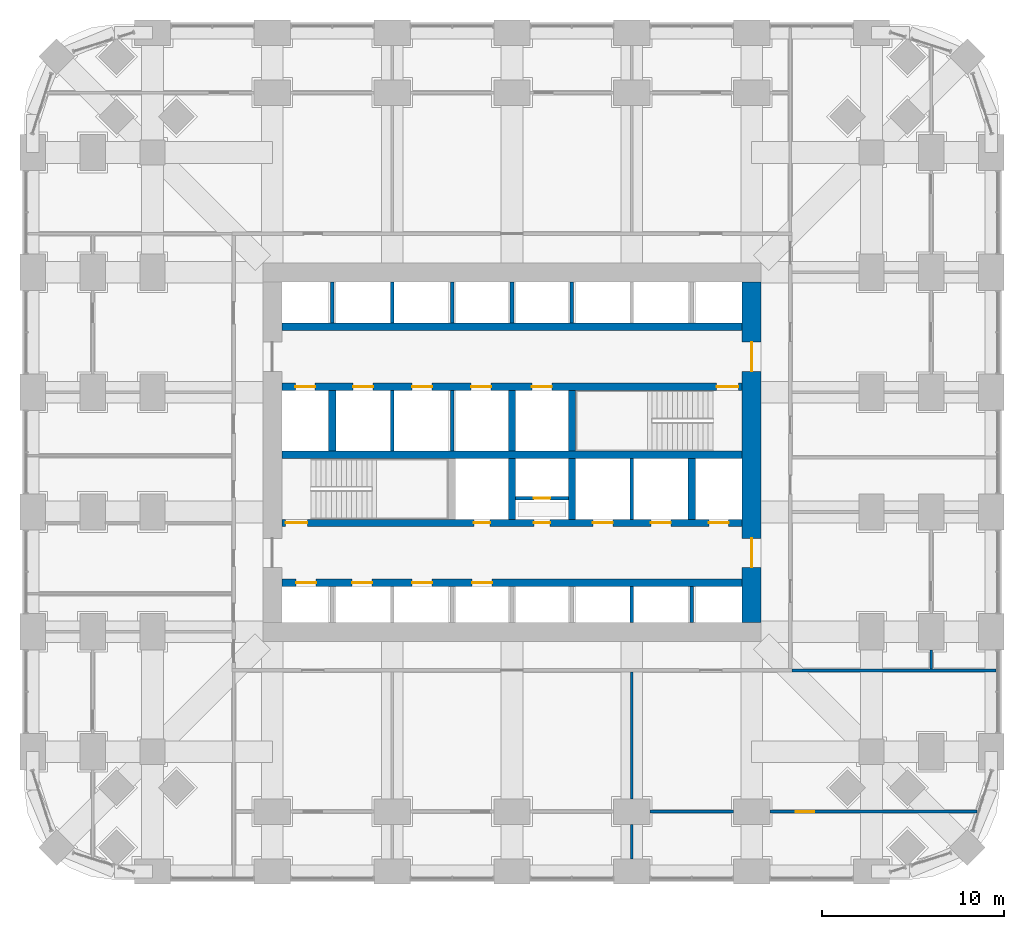
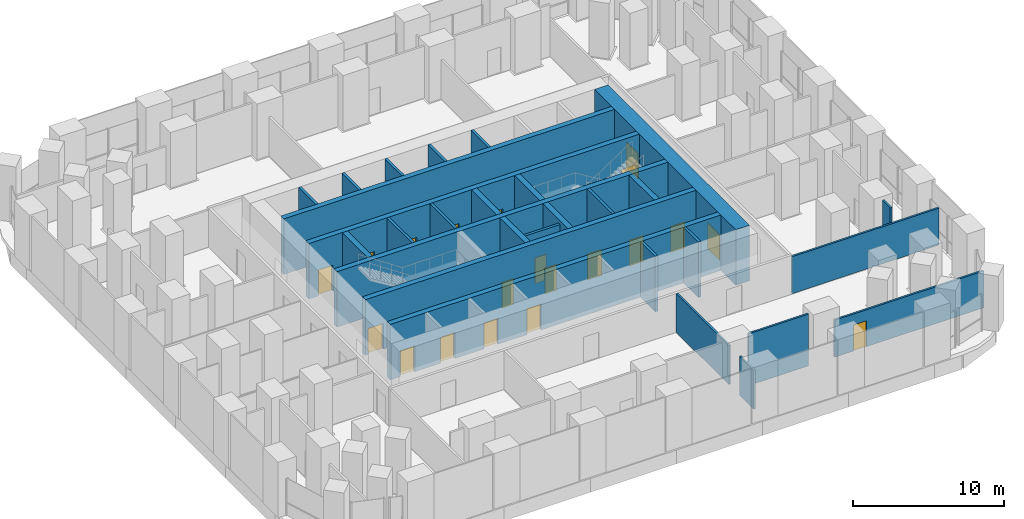
# One storey, part 12 of 17: 29 walls, 20 doors, 20 openings.
"""IFC4 building model written with IfcOpenShell, lengths in metres."""

from ifc_helpers import new_model, si_unit, direction, frame, frame_2d, origin, place, context, subcontext, project, spatial, rectangle, extrude, material, layer, layer_set, type_object, element, fill, save


model = new_model("IFC4")

# Units and contexts
model_context = context("Model", 3, precision=1e-05, world=origin(), true_north=direction((0.0, 1.0)))
body_context = subcontext(model_context, "Body", "Model", "MODEL_VIEW")
ifc_project = project(units=[si_unit("LENGTHUNIT", "METRE"), si_unit("AREAUNIT", "SQUARE_METRE"), si_unit("VOLUMEUNIT", "CUBIC_METRE"), si_unit("PLANEANGLEUNIT", "RADIAN"), si_unit("MASSUNIT", "GRAM", prefix="KILO")], contexts=[model_context])

# Site, building, storey
site_placement = place(None, origin())
site = spatial("IfcSite", under=ifc_project, at=site_placement, CompositionType="ELEMENT")
building_placement = place(site_placement, origin())
building = spatial("IfcBuilding", under=site, at=building_placement, Name="Cobogo Forest Laboratory Tower", CompositionType="ELEMENT")
storey_placement = place(building_placement, frame((0.0, 0.0, 12.60009765625)))
storey = spatial("IfcBuildingStorey", under=building, at=storey_placement, Name="L02", CompositionType="ELEMENT", Elevation=12.60009765625)

# Wall, openings, doors
ifc_material_1 = material(Name="Concrete HA-50 (C50/60)", Category="concrete")
ifc_layer_1 = layer(ifc_material_1, 0.39990234375)
ifc_layer_set_1 = layer_set([ifc_layer_1], Name="CI400 core inner wall 400")
wall_type_1 = type_object("IfcWallType", Name="CI400 core inner wall 400", PredefinedType="SHEAR", material=ifc_layer_set_1)
wall_1_placement = place(storey_placement, frame((13.72509765625, 15.89990234375, 0.0), z_axis=(0.0, 0.0, 1.0), x_axis=(1.0, 0.0, 0.0)))
wall_1 = element("IfcWall", 1, at=wall_1_placement, inside=storey, type_object=wall_type_1, Name="Core wall CI-15.9 L02", PredefinedType="SHEAR", context=body_context, shape_type="SweptSolid", body=[
    extrude(rectangle(XDim=25.349853515625, YDim=0.39990234375, at=frame_2d((12.6748046875, 0.0))), origin(), (0.0, 0.0, 1.0), 4.5),
])
opening_1_placement = place(wall_1_placement, frame((0.78759765625, 0.0, 0.0)))
opening_1 = element("IfcOpeningElement", 2, at=opening_1_placement, cuts=wall_1, Name="Opening L02-LD-LA1", PredefinedType="OPENING", context=body_context, shape_type="SweptSolid", body=[
    extrude(rectangle(XDim=1.10009765625, YDim=2.10009765625, at=frame_2d((0.550048828125, 1.050048828125))), frame((0.0, 0.2099609375, 0.0), z_axis=(0.0, -1.0, 0.0), x_axis=(1.0, 0.0, 0.0)), (0.0, 0.0, 1.0), 0.419921875),
])
opening_2_placement = place(wall_1_placement, frame((3.875, 0.0, 0.0)))
opening_2 = element("IfcOpeningElement", 3, at=opening_2_placement, cuts=wall_1, Name="Opening L02-LD-LA2", PredefinedType="OPENING", context=body_context, shape_type="SweptSolid", body=[
    extrude(rectangle(XDim=1.10009765625, YDim=2.10009765625, at=frame_2d((0.550048828125, 1.050048828125))), frame((0.0, 0.2099609375, 0.0), z_axis=(0.0, -1.0, 0.0), x_axis=(1.0, 0.0, 0.0)), (0.0, 0.0, 1.0), 0.419921875),
])
opening_3_placement = place(wall_1_placement, frame((7.175048828125, 0.0, 0.0)))
opening_3 = element("IfcOpeningElement", 4, at=opening_3_placement, cuts=wall_1, Name="Opening L02-LD-LA3", PredefinedType="OPENING", context=body_context, shape_type="SweptSolid", body=[
    extrude(rectangle(XDim=1.10009765625, YDim=2.10009765625, at=frame_2d((0.550048828125, 1.050048828125))), frame((0.0, 0.2099609375, 0.0), z_axis=(0.0, -1.0, 0.0), x_axis=(1.0, 0.0, 0.0)), (0.0, 0.0, 1.0), 0.419921875),
])
opening_4_placement = place(wall_1_placement, frame((10.47509765625, 0.0, 0.0)))
opening_4 = element("IfcOpeningElement", 5, at=opening_4_placement, cuts=wall_1, Name="Opening L02-LD-LA4", PredefinedType="OPENING", context=body_context, shape_type="SweptSolid", body=[
    extrude(rectangle(XDim=1.10009765625, YDim=2.10009765625, at=frame_2d((0.550048828125, 1.050048828125))), frame((0.0, 0.2099609375, 0.0), z_axis=(0.0, -1.0, 0.0), x_axis=(1.0, 0.0, 0.0)), (0.0, 0.0, 1.0), 0.419921875),
])
ifc_material_2 = material(Name="Stainless steel lift door", Category="steel")
door_type_1 = type_object("IfcDoorType", Name="LD lift landing door 1100", OperationType="DOUBLE_DOOR_SLIDING", PredefinedType="DOOR", material=ifc_material_2)
door_1_placement = place(opening_1_placement, origin())
door_1 = element("IfcDoor", 6, at=door_1_placement, inside=storey, type_object=door_type_1, Name="Lift landing door LA1 L02", OperationType="DOUBLE_DOOR_SLIDING", OverallHeight=2.10009765625, OverallWidth=1.10009765625, PredefinedType="DOOR", context=body_context, shape_type="SweptSolid", body=[
    extrude(rectangle(XDim=1.10009765625, YDim=2.10009765625, at=frame_2d((0.550048828125, 1.050048828125))), frame((0.0, 0.02490234375, 0.0), z_axis=(0.0, -1.0, 0.0), x_axis=(1.0, 0.0, 0.0)), (0.0, 0.0, 1.0), 0.050048828125),
])
fill(opening_1, door_1)
door_2_placement = place(opening_2_placement, origin())
door_2 = element("IfcDoor", 7, at=door_2_placement, inside=storey, type_object=door_type_1, Name="Lift landing door LA2 L02", OperationType="DOUBLE_DOOR_SLIDING", OverallHeight=2.10009765625, OverallWidth=1.10009765625, PredefinedType="DOOR", context=body_context, shape_type="SweptSolid", body=[
    extrude(rectangle(XDim=1.10009765625, YDim=2.10009765625, at=frame_2d((0.550048828125, 1.050048828125))), frame((0.0, 0.02490234375, 0.0), z_axis=(0.0, -1.0, 0.0), x_axis=(1.0, 0.0, 0.0)), (0.0, 0.0, 1.0), 0.050048828125),
])
fill(opening_2, door_2)
door_3_placement = place(opening_3_placement, origin())
door_3 = element("IfcDoor", 8, at=door_3_placement, inside=storey, type_object=door_type_1, Name="Lift landing door LA3 L02", OperationType="DOUBLE_DOOR_SLIDING", OverallHeight=2.10009765625, OverallWidth=1.10009765625, PredefinedType="DOOR", context=body_context, shape_type="SweptSolid", body=[
    extrude(rectangle(XDim=1.10009765625, YDim=2.10009765625, at=frame_2d((0.550048828125, 1.050048828125))), frame((0.0, 0.02490234375, 0.0), z_axis=(0.0, -1.0, 0.0), x_axis=(1.0, 0.0, 0.0)), (0.0, 0.0, 1.0), 0.050048828125),
])
fill(opening_3, door_3)
door_4_placement = place(opening_4_placement, origin())
door_4 = element("IfcDoor", 9, at=door_4_placement, inside=storey, type_object=door_type_1, Name="Lift landing door LA4 L02", OperationType="DOUBLE_DOOR_SLIDING", OverallHeight=2.10009765625, OverallWidth=1.10009765625, PredefinedType="DOOR", context=body_context, shape_type="SweptSolid", body=[
    extrude(rectangle(XDim=1.10009765625, YDim=2.10009765625, at=frame_2d((0.550048828125, 1.050048828125))), frame((0.0, 0.02490234375, 0.0), z_axis=(0.0, -1.0, 0.0), x_axis=(1.0, 0.0, 0.0)), (0.0, 0.0, 1.0), 0.050048828125),
])
fill(opening_4, door_4)

wall_2_placement = place(storey_placement, frame((13.72509765625, 19.199951171875, 0.0), z_axis=(0.0, 0.0, 1.0), x_axis=(1.0, 0.0, 0.0)))
wall_2 = element("IfcWall", 10, at=wall_2_placement, inside=storey, type_object=wall_type_1, Name="Core wall CI-19.2 L02", PredefinedType="SHEAR", context=body_context, shape_type="SweptSolid", body=[
    extrude(rectangle(XDim=25.349853515625, YDim=0.39990234375, at=frame_2d((12.6748046875, 0.0))), origin(), (0.0, 0.0, 1.0), 4.5),
])
opening_5_placement = place(wall_2_placement, frame((10.574951171875, 0.0, 0.0)))
opening_5 = element("IfcOpeningElement", 11, at=opening_5_placement, cuts=wall_2, Name="Opening L02-D16", PredefinedType="OPENING", context=body_context, shape_type="SweptSolid", body=[
    extrude(rectangle(XDim=0.89990234375, YDim=2.10009765625, at=frame_2d((0.449951171875, 1.050048828125))), frame((0.0, 0.2099609375, 0.0), z_axis=(0.0, -1.0, 0.0), x_axis=(1.0, 0.0, 0.0)), (0.0, 0.0, 1.0), 0.419921875),
])
opening_6_placement = place(wall_2_placement, frame((13.875, 0.0, 0.0)))
opening_6 = element("IfcOpeningElement", 12, at=opening_6_placement, cuts=wall_2, Name="Opening L02-D17", PredefinedType="OPENING", context=body_context, shape_type="SweptSolid", body=[
    extrude(rectangle(XDim=0.89990234375, YDim=2.10009765625, at=frame_2d((0.449951171875, 1.050048828125))), frame((0.0, 0.2099609375, 0.0), z_axis=(0.0, -1.0, 0.0), x_axis=(1.0, 0.0, 0.0)), (0.0, 0.0, 1.0), 0.419921875),
])
opening_7_placement = place(wall_2_placement, frame((0.199951171875, 0.0, 0.0)))
opening_7 = element("IfcOpeningElement", 13, at=opening_7_placement, cuts=wall_2, Name="Opening L02-D15", PredefinedType="OPENING", context=body_context, shape_type="SweptSolid", body=[
    extrude(rectangle(XDim=1.199951171875, YDim=2.10009765625, at=frame_2d((0.60009765625, 1.050048828125))), frame((0.0, 0.2099609375, 0.0), z_axis=(0.0, -1.0, 0.0), x_axis=(1.0, 0.0, 0.0)), (0.0, 0.0, 1.0), 0.419921875),
])
opening_8_placement = place(wall_2_placement, frame((23.512451171875, 0.0, 0.0)))
opening_8 = element("IfcOpeningElement", 14, at=opening_8_placement, cuts=wall_2, Name="Opening L02-LD-FL2", PredefinedType="OPENING", context=body_context, shape_type="SweptSolid", body=[
    extrude(rectangle(XDim=1.10009765625, YDim=2.10009765625, at=frame_2d((0.550048828125, 1.050048828125))), frame((0.0, 0.2099609375, 0.0), z_axis=(0.0, -1.0, 0.0), x_axis=(1.0, 0.0, 0.0)), (0.0, 0.0, 1.0), 0.419921875),
])
opening_9_placement = place(wall_2_placement, frame((17.125, 0.0, 0.0)))
opening_9 = element("IfcOpeningElement", 15, at=opening_9_placement, cuts=wall_2, Name="Opening L02-LD-LS1", PredefinedType="OPENING", context=body_context, shape_type="SweptSolid", body=[
    extrude(rectangle(XDim=1.10009765625, YDim=2.10009765625, at=frame_2d((0.550048828125, 1.050048828125))), frame((0.0, 0.2099609375, 0.0), z_axis=(0.0, -1.0, 0.0), x_axis=(1.0, 0.0, 0.0)), (0.0, 0.0, 1.0), 0.419921875),
])
opening_10_placement = place(wall_2_placement, frame((20.324951171875, 0.0, 0.0)))
opening_10 = element("IfcOpeningElement", 16, at=opening_10_placement, cuts=wall_2, Name="Opening L02-LD-LS2", PredefinedType="OPENING", context=body_context, shape_type="SweptSolid", body=[
    extrude(rectangle(XDim=1.10009765625, YDim=2.10009765625, at=frame_2d((0.550048828125, 1.050048828125))), frame((0.0, 0.2099609375, 0.0), z_axis=(0.0, -1.0, 0.0), x_axis=(1.0, 0.0, 0.0)), (0.0, 0.0, 1.0), 0.419921875),
])
ifc_material_3 = material(Name="Steel fire door", Category="steel")
door_type_2 = type_object("IfcDoorType", Name="DS1 protected stair door 1200 EI2 60", OperationType="SINGLE_SWING_LEFT", PredefinedType="DOOR", material=ifc_material_3)
door_5_placement = place(opening_7_placement, origin())
door_5 = element("IfcDoor", 17, at=door_5_placement, inside=storey, type_object=door_type_2, Name="Door L02-ST1", OperationType="SINGLE_SWING_LEFT", OverallHeight=2.10009765625, OverallWidth=1.199951171875, PredefinedType="DOOR", context=body_context, shape_type="SweptSolid", body=[
    extrude(rectangle(XDim=1.199951171875, YDim=2.10009765625, at=frame_2d((0.60009765625, 1.050048828125))), frame((0.0, 0.02490234375, 0.0), z_axis=(0.0, -1.0, 0.0), x_axis=(1.0, 0.0, 0.0)), (0.0, 0.0, 1.0), 0.050048828125),
])
fill(opening_7, door_5)
door_type_3 = type_object("IfcDoorType", Name="FD4 riser access door 900 EI2 60", OperationType="SINGLE_SWING_LEFT", PredefinedType="DOOR", material=ifc_material_3)
door_6_placement = place(opening_5_placement, origin())
door_6 = element("IfcDoor", 18, at=door_6_placement, inside=storey, type_object=door_type_3, Name="Door L02-R1", OperationType="SINGLE_SWING_LEFT", OverallHeight=2.10009765625, OverallWidth=0.89990234375, PredefinedType="DOOR", context=body_context, shape_type="SweptSolid", body=[
    extrude(rectangle(XDim=0.89990234375, YDim=2.10009765625, at=frame_2d((0.449951171875, 1.050048828125))), frame((0.0, 0.02490234375, 0.0), z_axis=(0.0, -1.0, 0.0), x_axis=(1.0, 0.0, 0.0)), (0.0, 0.0, 1.0), 0.050048828125),
])
fill(opening_5, door_6)
door_7_placement = place(opening_6_placement, origin())
door_7 = element("IfcDoor", 19, at=door_7_placement, inside=storey, type_object=door_type_3, Name="Door L02-R2V", OperationType="SINGLE_SWING_RIGHT", OverallHeight=2.10009765625, OverallWidth=0.89990234375, PredefinedType="DOOR", context=body_context, shape_type="SweptSolid", body=[
    extrude(rectangle(XDim=0.89990234375, YDim=2.10009765625, at=frame_2d((0.449951171875, 1.050048828125))), frame((0.0, 0.02490234375, 0.0), z_axis=(0.0, -1.0, 0.0), x_axis=(1.0, 0.0, 0.0)), (0.0, 0.0, 1.0), 0.050048828125),
])
fill(opening_6, door_7)
door_8_placement = place(opening_8_placement, origin())
door_8 = element("IfcDoor", 20, at=door_8_placement, inside=storey, type_object=door_type_1, Name="Lift landing door FL2 L02", OperationType="DOUBLE_DOOR_SLIDING", OverallHeight=2.10009765625, OverallWidth=1.10009765625, PredefinedType="DOOR", context=body_context, shape_type="SweptSolid", body=[
    extrude(rectangle(XDim=1.10009765625, YDim=2.10009765625, at=frame_2d((0.550048828125, 1.050048828125))), frame((0.0, 0.02490234375, 0.0), z_axis=(0.0, -1.0, 0.0), x_axis=(1.0, 0.0, 0.0)), (0.0, 0.0, 1.0), 0.050048828125),
])
fill(opening_8, door_8)
door_9_placement = place(opening_9_placement, origin())
door_9 = element("IfcDoor", 21, at=door_9_placement, inside=storey, type_object=door_type_1, Name="Lift landing door LS1 L02", OperationType="DOUBLE_DOOR_SLIDING", OverallHeight=2.10009765625, OverallWidth=1.10009765625, PredefinedType="DOOR", context=body_context, shape_type="SweptSolid", body=[
    extrude(rectangle(XDim=1.10009765625, YDim=2.10009765625, at=frame_2d((0.550048828125, 1.050048828125))), frame((0.0, 0.02490234375, 0.0), z_axis=(0.0, -1.0, 0.0), x_axis=(1.0, 0.0, 0.0)), (0.0, 0.0, 1.0), 0.050048828125),
])
fill(opening_9, door_9)
door_10_placement = place(opening_10_placement, origin())
door_10 = element("IfcDoor", 22, at=door_10_placement, inside=storey, type_object=door_type_1, Name="Lift landing door LS2 L02", OperationType="DOUBLE_DOOR_SLIDING", OverallHeight=2.10009765625, OverallWidth=1.10009765625, PredefinedType="DOOR", context=body_context, shape_type="SweptSolid", body=[
    extrude(rectangle(XDim=1.10009765625, YDim=2.10009765625, at=frame_2d((0.550048828125, 1.050048828125))), frame((0.0, 0.02490234375, 0.0), z_axis=(0.0, -1.0, 0.0), x_axis=(1.0, 0.0, 0.0)), (0.0, 0.0, 1.0), 0.050048828125),
])
fill(opening_10, door_10)

# Wall
wall_3_placement = place(storey_placement, frame((13.72509765625, 22.949951171875, 0.0), z_axis=(0.0, 0.0, 1.0), x_axis=(1.0, 0.0, 0.0)))
element("IfcWall", 23, at=wall_3_placement, inside=storey, type_object=wall_type_1, Name="Core wall CI-22.95 L02", PredefinedType="SHEAR", context=body_context, shape_type="SweptSolid", body=[
    extrude(rectangle(XDim=25.349853515625, YDim=0.39990234375, at=frame_2d((12.6748046875, 0.0))), origin(), (0.0, 0.0, 1.0), 4.5),
])

# Wall, openings, doors
wall_4_placement = place(storey_placement, frame((13.72509765625, 26.699951171875, 0.0), z_axis=(0.0, 0.0, 1.0), x_axis=(1.0, 0.0, 0.0)))
wall_4 = element("IfcWall", 24, at=wall_4_placement, inside=storey, type_object=wall_type_1, Name="Core wall CI-26.7 L02", PredefinedType="SHEAR", context=body_context, shape_type="SweptSolid", body=[
    extrude(rectangle(XDim=25.349853515625, YDim=0.39990234375, at=frame_2d((12.6748046875, 0.0))), origin(), (0.0, 0.0, 1.0), 4.5),
])
opening_11_placement = place(wall_4_placement, frame((23.949951171875, 0.0, 0.0)))
opening_11 = element("IfcOpeningElement", 25, at=opening_11_placement, cuts=wall_4, Name="Opening L02-D23", PredefinedType="OPENING", context=body_context, shape_type="SweptSolid", body=[
    extrude(rectangle(XDim=1.199951171875, YDim=2.10009765625, at=frame_2d((0.60009765625, 1.050048828125))), frame((0.0, 0.2099609375, 0.0), z_axis=(0.0, -1.0, 0.0), x_axis=(1.0, 0.0, 0.0)), (0.0, 0.0, 1.0), 0.419921875),
])
opening_12_placement = place(wall_4_placement, frame((0.737548828125, 0.0, 0.0)))
opening_12 = element("IfcOpeningElement", 26, at=opening_12_placement, cuts=wall_4, Name="Opening L02-LD-FL1", PredefinedType="OPENING", context=body_context, shape_type="SweptSolid", body=[
    extrude(rectangle(XDim=1.10009765625, YDim=2.10009765625, at=frame_2d((0.550048828125, 1.050048828125))), frame((0.0, 0.2099609375, 0.0), z_axis=(0.0, -1.0, 0.0), x_axis=(1.0, 0.0, 0.0)), (0.0, 0.0, 1.0), 0.419921875),
])
opening_13_placement = place(wall_4_placement, frame((3.925048828125, 0.0, 0.0)))
opening_13 = element("IfcOpeningElement", 27, at=opening_13_placement, cuts=wall_4, Name="Opening L02-LD-LS3", PredefinedType="OPENING", context=body_context, shape_type="SweptSolid", body=[
    extrude(rectangle(XDim=1.10009765625, YDim=2.10009765625, at=frame_2d((0.550048828125, 1.050048828125))), frame((0.0, 0.2099609375, 0.0), z_axis=(0.0, -1.0, 0.0), x_axis=(1.0, 0.0, 0.0)), (0.0, 0.0, 1.0), 0.419921875),
])
opening_14_placement = place(wall_4_placement, frame((7.175048828125, 0.0, 0.0)))
opening_14 = element("IfcOpeningElement", 28, at=opening_14_placement, cuts=wall_4, Name="Opening L02-LD-LS4", PredefinedType="OPENING", context=body_context, shape_type="SweptSolid", body=[
    extrude(rectangle(XDim=1.10009765625, YDim=2.10009765625, at=frame_2d((0.550048828125, 1.050048828125))), frame((0.0, 0.2099609375, 0.0), z_axis=(0.0, -1.0, 0.0), x_axis=(1.0, 0.0, 0.0)), (0.0, 0.0, 1.0), 0.419921875),
])
opening_15_placement = place(wall_4_placement, frame((10.425048828125, 0.0, 0.0)))
opening_15 = element("IfcOpeningElement", 29, at=opening_15_placement, cuts=wall_4, Name="Opening L02-LD-LS5", PredefinedType="OPENING", context=body_context, shape_type="SweptSolid", body=[
    extrude(rectangle(XDim=1.10009765625, YDim=2.10009765625, at=frame_2d((0.550048828125, 1.050048828125))), frame((0.0, 0.2099609375, 0.0), z_axis=(0.0, -1.0, 0.0), x_axis=(1.0, 0.0, 0.0)), (0.0, 0.0, 1.0), 0.419921875),
])
opening_16_placement = place(wall_4_placement, frame((13.77490234375, 0.0, 0.0)))
opening_16 = element("IfcOpeningElement", 30, at=opening_16_placement, cuts=wall_4, Name="Opening L02-LD-LS6", PredefinedType="OPENING", context=body_context, shape_type="SweptSolid", body=[
    extrude(rectangle(XDim=1.10009765625, YDim=2.10009765625, at=frame_2d((0.550048828125, 1.050048828125))), frame((0.0, 0.2099609375, 0.0), z_axis=(0.0, -1.0, 0.0), x_axis=(1.0, 0.0, 0.0)), (0.0, 0.0, 1.0), 0.419921875),
])
door_11_placement = place(opening_11_placement, origin())
door_11 = element("IfcDoor", 31, at=door_11_placement, inside=storey, type_object=door_type_2, Name="Door L02-ST2", OperationType="SINGLE_SWING_RIGHT", OverallHeight=2.10009765625, OverallWidth=1.199951171875, PredefinedType="DOOR", context=body_context, shape_type="SweptSolid", body=[
    extrude(rectangle(XDim=1.199951171875, YDim=2.10009765625, at=frame_2d((0.60009765625, 1.050048828125))), frame((0.0, 0.02490234375, 0.0), z_axis=(0.0, -1.0, 0.0), x_axis=(1.0, 0.0, 0.0)), (0.0, 0.0, 1.0), 0.050048828125),
])
fill(opening_11, door_11)
door_12_placement = place(opening_12_placement, origin())
door_12 = element("IfcDoor", 32, at=door_12_placement, inside=storey, type_object=door_type_1, Name="Lift landing door FL1 L02", OperationType="DOUBLE_DOOR_SLIDING", OverallHeight=2.10009765625, OverallWidth=1.10009765625, PredefinedType="DOOR", context=body_context, shape_type="SweptSolid", body=[
    extrude(rectangle(XDim=1.10009765625, YDim=2.10009765625, at=frame_2d((0.550048828125, 1.050048828125))), frame((0.0, 0.02490234375, 0.0), z_axis=(0.0, -1.0, 0.0), x_axis=(1.0, 0.0, 0.0)), (0.0, 0.0, 1.0), 0.050048828125),
])
fill(opening_12, door_12)
door_13_placement = place(opening_13_placement, origin())
door_13 = element("IfcDoor", 33, at=door_13_placement, inside=storey, type_object=door_type_1, Name="Lift landing door LS3 L02", OperationType="DOUBLE_DOOR_SLIDING", OverallHeight=2.10009765625, OverallWidth=1.10009765625, PredefinedType="DOOR", context=body_context, shape_type="SweptSolid", body=[
    extrude(rectangle(XDim=1.10009765625, YDim=2.10009765625, at=frame_2d((0.550048828125, 1.050048828125))), frame((0.0, 0.02490234375, 0.0), z_axis=(0.0, -1.0, 0.0), x_axis=(1.0, 0.0, 0.0)), (0.0, 0.0, 1.0), 0.050048828125),
])
fill(opening_13, door_13)
door_14_placement = place(opening_14_placement, origin())
door_14 = element("IfcDoor", 34, at=door_14_placement, inside=storey, type_object=door_type_1, Name="Lift landing door LS4 L02", OperationType="DOUBLE_DOOR_SLIDING", OverallHeight=2.10009765625, OverallWidth=1.10009765625, PredefinedType="DOOR", context=body_context, shape_type="SweptSolid", body=[
    extrude(rectangle(XDim=1.10009765625, YDim=2.10009765625, at=frame_2d((0.550048828125, 1.050048828125))), frame((0.0, 0.02490234375, 0.0), z_axis=(0.0, -1.0, 0.0), x_axis=(1.0, 0.0, 0.0)), (0.0, 0.0, 1.0), 0.050048828125),
])
fill(opening_14, door_14)
door_15_placement = place(opening_15_placement, origin())
door_15 = element("IfcDoor", 35, at=door_15_placement, inside=storey, type_object=door_type_1, Name="Lift landing door LS5 L02", OperationType="DOUBLE_DOOR_SLIDING", OverallHeight=2.10009765625, OverallWidth=1.10009765625, PredefinedType="DOOR", context=body_context, shape_type="SweptSolid", body=[
    extrude(rectangle(XDim=1.10009765625, YDim=2.10009765625, at=frame_2d((0.550048828125, 1.050048828125))), frame((0.0, 0.02490234375, 0.0), z_axis=(0.0, -1.0, 0.0), x_axis=(1.0, 0.0, 0.0)), (0.0, 0.0, 1.0), 0.050048828125),
])
fill(opening_15, door_15)
door_16_placement = place(opening_16_placement, origin())
door_16 = element("IfcDoor", 36, at=door_16_placement, inside=storey, type_object=door_type_1, Name="Lift landing door LS6 L02", OperationType="DOUBLE_DOOR_SLIDING", OverallHeight=2.10009765625, OverallWidth=1.10009765625, PredefinedType="DOOR", context=body_context, shape_type="SweptSolid", body=[
    extrude(rectangle(XDim=1.10009765625, YDim=2.10009765625, at=frame_2d((0.550048828125, 1.050048828125))), frame((0.0, 0.02490234375, 0.0), z_axis=(0.0, -1.0, 0.0), x_axis=(1.0, 0.0, 0.0)), (0.0, 0.0, 1.0), 0.050048828125),
])
fill(opening_16, door_16)

# Walls
wall_5_placement = place(storey_placement, frame((13.72509765625, 30.0, 0.0), z_axis=(0.0, 0.0, 1.0), x_axis=(1.0, 0.0, 0.0)))
element("IfcWall", 37, at=wall_5_placement, inside=storey, type_object=wall_type_1, Name="Core wall CI-30.0 L02", PredefinedType="SHEAR", context=body_context, shape_type="SweptSolid", body=[
    extrude(rectangle(XDim=25.349853515625, YDim=0.39990234375, at=frame_2d((12.6748046875, 0.0))), origin(), (0.0, 0.0, 1.0), 4.5),
])
for number, where, z_axis, x_axis, name in (
    (38, (26.39990234375, 19.39990234375, 0.0), (0.0, 0.0, 1.0), (0.0, 1.0, 0.0), "Core wall CX-26.4S L02"),
    (39, (29.699951171875, 19.39990234375, 0.0), (0.0, 0.0, 1.0), (0.0, 1.0, 0.0), "Core wall CX-29.7S L02"),
    (40, (36.300048828125, 19.39990234375, 0.0), (0.0, 0.0, 1.0), (0.0, 1.0, 0.0), "Core wall CX-36.3 L02"),
    (41, (16.5, 23.14990234375, 0.0), (0.0, 0.0, 1.0), (0.0, 1.0, 0.0), "Core wall CX-16.5 L02"),
    (42, (26.39990234375, 23.14990234375, 0.0), (0.0, 0.0, 1.0), (0.0, 1.0, 0.0), "Core wall CX-26.4N L02"),
    (43, (29.699951171875, 23.14990234375, 0.0), (0.0, 0.0, 1.0), (0.0, 1.0, 0.0), "Core wall CX-29.7N L02"),
):
    element("IfcWall", number, at=place(storey_placement, frame(where, z_axis=z_axis, x_axis=x_axis)), inside=storey, type_object=wall_type_1, Name=name, PredefinedType="SHEAR", context=body_context, shape_type="SweptSolid", body=[
        extrude(rectangle(XDim=3.35009765625, YDim=0.39990234375, at=frame_2d((1.675048828125, 0.0))), origin(), (0.0, 0.0, 1.0), 4.5),
    ])

# Wall, openings, doors
ifc_layer_2 = layer(ifc_material_1, 1.050048828125)
ifc_layer_set_2 = layer_set([ifc_layer_2], Name="CW1050 core outer wall 1050")
wall_type_2 = type_object("IfcWallType", Name="CW1050 core outer wall 1050", PredefinedType="SHEAR", material=ifc_layer_set_2)
wall_6_placement = place(storey_placement, frame((39.60009765625, 13.72509765625, 0.0), z_axis=(0.0, 0.0, 1.0), x_axis=(0.0, 1.0, 0.0)))
wall_6 = element("IfcWall", 44, at=wall_6_placement, inside=storey, type_object=wall_type_2, Name="Core wall CO-E L02", PredefinedType="SHEAR", context=body_context, shape_type="SweptSolid", body=[
    extrude(rectangle(XDim=18.75, YDim=1.050048828125, at=frame_2d((9.375, 0.0))), origin(), (0.0, 0.0, 1.0), 4.5),
])
opening_17_placement = place(wall_6_placement, frame((3.02490234375, 0.0, 0.0)))
opening_17 = element("IfcOpeningElement", 45, at=opening_17_placement, cuts=wall_6, Name="Opening L02-D14", PredefinedType="OPENING", context=body_context, shape_type="SweptSolid", body=[
    extrude(rectangle(XDim=1.60009765625, YDim=2.10009765625, at=frame_2d((0.800048828125, 1.050048828125))), frame((0.0, 0.534912109375, 0.0), z_axis=(0.0, -1.0, 0.0), x_axis=(1.0, 0.0, 0.0)), (0.0, 0.0, 1.0), 1.070068359375),
])
opening_18_placement = place(wall_6_placement, frame((13.824951171875, 0.0, 0.0)))
opening_18 = element("IfcOpeningElement", 46, at=opening_18_placement, cuts=wall_6, Name="Opening L02-D25", PredefinedType="OPENING", context=body_context, shape_type="SweptSolid", body=[
    extrude(rectangle(XDim=1.60009765625, YDim=2.10009765625, at=frame_2d((0.800048828125, 1.050048828125))), frame((0.0, 0.534912109375, 0.0), z_axis=(0.0, -1.0, 0.0), x_axis=(1.0, 0.0, 0.0)), (0.0, 0.0, 1.0), 1.070068359375),
])
door_type_4 = type_object("IfcDoorType", Name="DS2 protected lobby door pair 1600 EI2 60", OperationType="DOUBLE_DOOR_DOUBLE_SWING", PredefinedType="DOOR", material=ifc_material_3)
door_17_placement = place(opening_17_placement, origin())
door_17 = element("IfcDoor", 47, at=door_17_placement, inside=storey, type_object=door_type_4, Name="Door L02-CO-E-S", OperationType="DOUBLE_DOOR_DOUBLE_SWING", OverallHeight=2.10009765625, OverallWidth=1.60009765625, PredefinedType="DOOR", context=body_context, shape_type="SweptSolid", body=[
    extrude(rectangle(XDim=1.60009765625, YDim=2.10009765625, at=frame_2d((0.800048828125, 1.050048828125))), frame((0.0, 0.02490234375, 0.0), z_axis=(0.0, -1.0, 0.0), x_axis=(1.0, 0.0, 0.0)), (0.0, 0.0, 1.0), 0.050048828125),
])
fill(opening_17, door_17)
door_18_placement = place(opening_18_placement, origin())
door_18 = element("IfcDoor", 48, at=door_18_placement, inside=storey, type_object=door_type_4, Name="Door L02-CO-E-N", OperationType="DOUBLE_DOOR_DOUBLE_SWING", OverallHeight=2.10009765625, OverallWidth=1.60009765625, PredefinedType="DOOR", context=body_context, shape_type="SweptSolid", body=[
    extrude(rectangle(XDim=1.60009765625, YDim=2.10009765625, at=frame_2d((0.800048828125, 1.050048828125))), frame((0.0, 0.02490234375, 0.0), z_axis=(0.0, -1.0, 0.0), x_axis=(1.0, 0.0, 0.0)), (0.0, 0.0, 1.0), 0.050048828125),
])
fill(opening_18, door_18)

# Walls
ifc_material_4 = material(Name="Gypsum board on steel studs", Category="steel")
ifc_layer_3 = layer(ifc_material_4, 0.14990234375)
ifc_layer_set_3 = layer_set([ifc_layer_3], Name="PT1 laboratory partition 150")
wall_type_3 = type_object("IfcWallType", Name="PT1 laboratory partition 150", PredefinedType="PARTITIONING", material=ifc_layer_set_3)
wall_7_placement = place(storey_placement, frame((53.070068359375, 11.074951171875, 0.0), z_axis=(0.0, 0.0, 1.0), x_axis=(-1.0, 0.0, 0.0)))
element("IfcWall", 49, at=wall_7_placement, inside=storey, type_object=wall_type_3, Name="Partition PW-SE L02", PredefinedType="PARTITIONING", context=body_context, shape_type="SweptSolid", body=[
    extrude(rectangle(XDim=11.2451171875, YDim=0.14990234375, at=frame_2d((5.62255859375, 0.0))), origin(), (0.0, 0.0, 1.0), 3.0),
])
wall_8_placement = place(storey_placement, frame((34.0, 3.300048828125, 0.0), z_axis=(0.0, 0.0, 1.0), x_axis=(1.0, 0.0, 0.0)))
element("IfcWall", 50, at=wall_8_placement, inside=storey, type_object=wall_type_3, Name="Partition STRIP-S-5 L02", PredefinedType="PARTITIONING", context=body_context, shape_type="SweptSolid", body=[
    extrude(rectangle(XDim=4.60009765625, YDim=0.14990234375, at=frame_2d((2.300048828125, 0.0))), origin(), (0.0, 0.0, 1.0), 4.199951171875),
])

# Wall, opening, door
wall_9_placement = place(storey_placement, frame((40.60009765625, 3.300048828125, 0.0), z_axis=(0.0, 0.0, 1.0), x_axis=(1.0, 0.0, 0.0)))
wall_9 = element("IfcWall", 51, at=wall_9_placement, inside=storey, type_object=wall_type_3, Name="Partition STRIP-S-6 L02", PredefinedType="PARTITIONING", context=body_context, shape_type="SweptSolid", body=[
    extrude(rectangle(XDim=11.423828125, YDim=0.14990234375, at=frame_2d((5.7119140625, 0.0))), origin(), (0.0, 0.0, 1.0), 3.0),
])
opening_19_placement = place(wall_9_placement, frame((1.442138671875, 0.0, 0.0)))
opening_19 = element("IfcOpeningElement", 52, at=opening_19_placement, cuts=wall_9, Name="Opening L02-D03", PredefinedType="OPENING", context=body_context, shape_type="SweptSolid", body=[
    extrude(rectangle(XDim=1.0, YDim=2.10009765625, at=frame_2d((0.5, 1.050048828125))), frame((0.0, 0.0849609375, 0.0), z_axis=(0.0, -1.0, 0.0), x_axis=(1.0, 0.0, 0.0)), (0.0, 0.0, 1.0), 0.169921875),
])
ifc_material_5 = material(Name="Timber fire door", Category="wood")
door_type_5 = type_object("IfcDoorType", Name="FD2 fire door 1000 EI2 30", OperationType="SINGLE_SWING_LEFT", PredefinedType="DOOR", material=ifc_material_5)
door_19_placement = place(opening_19_placement, origin())
door_19 = element("IfcDoor", 53, at=door_19_placement, inside=storey, type_object=door_type_5, Name="Door L02-S3W", OperationType="SINGLE_SWING_LEFT", OverallHeight=2.10009765625, OverallWidth=1.0, PredefinedType="DOOR", context=body_context, shape_type="SweptSolid", body=[
    extrude(rectangle(XDim=1.0, YDim=2.10009765625, at=frame_2d((0.5, 1.050048828125))), frame((0.0, 0.02490234375, 0.0), z_axis=(0.0, -1.0, 0.0), x_axis=(1.0, 0.0, 0.0)), (0.0, 0.0, 1.0), 0.050048828125),
])
fill(opening_19, door_19)

# Walls
wall_10_placement = place(storey_placement, frame((33.0, 0.699951171875, 0.0), z_axis=(0.0, 0.0, 1.0), x_axis=(0.0, 1.0, 0.0)))
element("IfcWall", 54, at=wall_10_placement, inside=storey, type_object=wall_type_3, Name="Partition CUT-S33a-1 L02", PredefinedType="PARTITIONING", context=body_context, shape_type="SweptSolid", body=[
    extrude(rectangle(XDim=1.900146484375, YDim=0.14990234375, at=frame_2d((0.9501953125, 0.0))), origin(), (0.0, 0.0, 1.0), 3.14990234375),
])
wall_11_placement = place(storey_placement, frame((33.0, 4.0, 0.0), z_axis=(0.0, 0.0, 1.0), x_axis=(0.0, 1.0, 0.0)))
element("IfcWall", 55, at=wall_11_placement, inside=storey, type_object=wall_type_3, Name="Partition CUT-S33b-1 L02", PredefinedType="PARTITIONING", context=body_context, shape_type="SweptSolid", body=[
    extrude(rectangle(XDim=6.97509765625, YDim=0.14990234375, at=frame_2d((3.487548828125, 0.0))), origin(), (0.0, 0.0, 1.0), 3.14990234375),
])
wall_12_placement = place(storey_placement, frame((49.5, 11.14990234375, 0.0), z_axis=(0.0, 0.0, 1.0), x_axis=(0.0, 1.0, 0.0)))
element("IfcWall", 56, at=wall_12_placement, inside=storey, type_object=wall_type_3, Name="Partition STRIP-E-1 L02", PredefinedType="PARTITIONING", context=body_context, shape_type="SweptSolid", body=[
    extrude(rectangle(XDim=1.050048828125, YDim=0.14990234375, at=frame_2d((0.52490234375, 0.0))), origin(), (0.0, 0.0, 1.0), 4.199951171875),
])

# Wall, opening, door
ifc_layer_4 = layer(ifc_material_4, 0.199951171875)
ifc_layer_set_4 = layer_set([ifc_layer_4], Name="PT2 fire-rated corridor partition 200")
wall_type_4 = type_object("IfcWallType", Name="PT2 fire-rated corridor partition 200", PredefinedType="PARTITIONING", material=ifc_layer_set_4)
wall_13_placement = place(storey_placement, frame((26.60009765625, 20.550048828125, 0.0), z_axis=(0.0, 0.0, 1.0), x_axis=(1.0, 0.0, 0.0)))
wall_13 = element("IfcWall", 57, at=wall_13_placement, inside=storey, type_object=wall_type_4, Name="Partition RSPLIT-R2 L02", PredefinedType="PARTITIONING", context=body_context, shape_type="SweptSolid", body=[
    extrude(rectangle(XDim=2.89990234375, YDim=0.199951171875, at=frame_2d((1.449951171875, 0.0))), origin(), (0.0, 0.0, 1.0), 4.199951171875),
])
opening_20_placement = place(wall_13_placement, frame((1.0, 0.0, 0.0)))
opening_20 = element("IfcOpeningElement", 58, at=opening_20_placement, cuts=wall_13, Name="Opening L02-D18", PredefinedType="OPENING", context=body_context, shape_type="SweptSolid", body=[
    extrude(rectangle(XDim=0.89990234375, YDim=2.10009765625, at=frame_2d((0.449951171875, 1.050048828125))), frame((0.0, 0.10986328125, 0.0), z_axis=(0.0, -1.0, 0.0), x_axis=(1.0, 0.0, 0.0)), (0.0, 0.0, 1.0), 0.219970703125),
])
door_20_placement = place(opening_20_placement, origin())
door_20 = element("IfcDoor", 59, at=door_20_placement, inside=storey, type_object=door_type_3, Name="Door L02-R2", OperationType="SINGLE_SWING_LEFT", OverallHeight=2.10009765625, OverallWidth=0.89990234375, PredefinedType="DOOR", context=body_context, shape_type="SweptSolid", body=[
    extrude(rectangle(XDim=0.89990234375, YDim=2.10009765625, at=frame_2d((0.449951171875, 1.050048828125))), frame((0.0, 0.02490234375, 0.0), z_axis=(0.0, -1.0, 0.0), x_axis=(1.0, 0.0, 0.0)), (0.0, 0.0, 1.0), 0.050048828125),
])
fill(opening_20, door_20)

# Walls
ifc_material_6 = material(Name="Concrete block", Category="concrete")
ifc_layer_5 = layer(ifc_material_6, 0.199951171875)
ifc_layer_set_5 = layer_set([ifc_layer_5], Name="SW200 lift shaft separator 200")
wall_type_5 = type_object("IfcWallType", Name="SW200 lift shaft separator 200", PredefinedType="PARTITIONING", material=ifc_layer_set_5)
for number, where, z_axis, x_axis, name in (
    (60, (16.5, 30.199951171875, 0.0), (0.0, 0.0, 1.0), (0.0, 1.0, 0.0), "Core wall SEP-N1 L02"),
    (61, (19.800048828125, 30.199951171875, 0.0), (0.0, 0.0, 1.0), (0.0, 1.0, 0.0), "Core wall SEP-N2 L02"),
    (62, (23.10009765625, 30.199951171875, 0.0), (0.0, 0.0, 1.0), (0.0, 1.0, 0.0), "Core wall SEP-N3 L02"),
    (63, (26.39990234375, 30.199951171875, 0.0), (0.0, 0.0, 1.0), (0.0, 1.0, 0.0), "Core wall SEP-N4 L02"),
    (64, (29.699951171875, 30.199951171875, 0.0), (0.0, 0.0, 1.0), (0.0, 1.0, 0.0), "Core wall SEP-N5 L02"),
):
    element("IfcWall", number, at=place(storey_placement, frame(where, z_axis=z_axis, x_axis=x_axis)), inside=storey, type_object=wall_type_5, Name=name, PredefinedType="PARTITIONING", context=body_context, shape_type="SweptSolid", body=[
        extrude(rectangle(XDim=2.275146484375, YDim=0.199951171875, at=frame_2d((1.1376953125, 0.0))), origin(), (0.0, 0.0, 1.0), 4.5),
    ])
for number, where, z_axis, x_axis, name in (
    (65, (33.0, 13.72509765625, 0.0), (0.0, 0.0, 1.0), (0.0, 1.0, 0.0), "Core wall SEP-S6 L02"),
    (66, (36.300048828125, 13.72509765625, 0.0), (0.0, 0.0, 1.0), (0.0, 1.0, 0.0), "Core wall SEP-S7 L02"),
):
    element("IfcWall", number, at=place(storey_placement, frame(where, z_axis=z_axis, x_axis=x_axis)), inside=storey, type_object=wall_type_5, Name=name, PredefinedType="PARTITIONING", context=body_context, shape_type="SweptSolid", body=[
        extrude(rectangle(XDim=1.974853515625, YDim=0.199951171875, at=frame_2d((0.9873046875, 0.0))), origin(), (0.0, 0.0, 1.0), 4.5),
    ])
for number, where, z_axis, x_axis, name in (
    (67, (33.0, 19.39990234375, 0.0), (0.0, 0.0, 1.0), (0.0, 1.0, 0.0), "Core wall SEP-M33.0 L02"),
    (68, (19.800048828125, 23.14990234375, 0.0), (0.0, 0.0, 1.0), (0.0, 1.0, 0.0), "Core wall SEP-M19.8 L02"),
    (69, (23.10009765625, 23.14990234375, 0.0), (0.0, 0.0, 1.0), (0.0, 1.0, 0.0), "Core wall SEP-M23.1 L02"),
):
    element("IfcWall", number, at=place(storey_placement, frame(where, z_axis=z_axis, x_axis=x_axis)), inside=storey, type_object=wall_type_5, Name=name, PredefinedType="PARTITIONING", context=body_context, shape_type="SweptSolid", body=[
        extrude(rectangle(XDim=3.35009765625, YDim=0.199951171875, at=frame_2d((1.675048828125, 0.0))), origin(), (0.0, 0.0, 1.0), 4.5),
    ])

save(model, "model.ifc")
